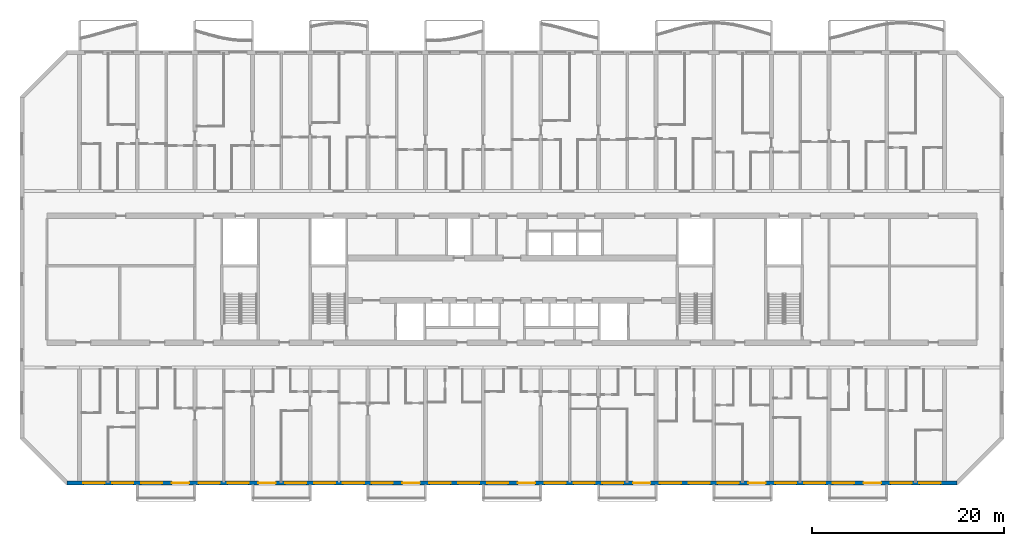
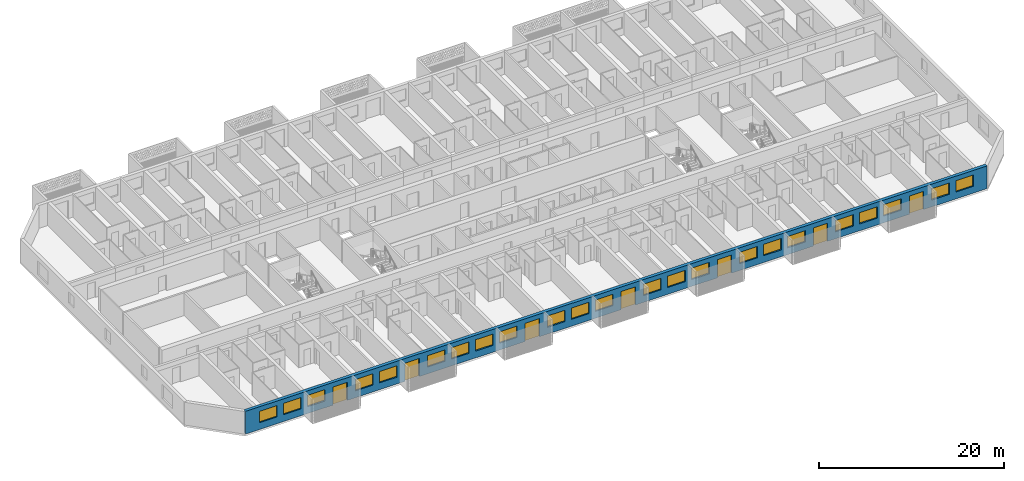
# One storey, part 5 of 38: 23 windows, 7 doors, 1 wall, 30 openings.
"""IFC4 building model written with IfcOpenShell, lengths in metres."""

from ifc_helpers import new_model, si_unit, direction, frame, frame_2d, origin, place, context, subcontext, project, spatial, rectangle, extrude, material, layer, layer_set, type_object, element, fill, save


model = new_model("IFC4")

# Units and contexts
model_context = context("Model", 3, precision=1e-05, world=origin(), true_north=direction((0.0, 1.0)))
body_context = subcontext(model_context, "Body", "Model", "MODEL_VIEW")
ifc_project = project(units=[si_unit("LENGTHUNIT", "METRE"), si_unit("AREAUNIT", "SQUARE_METRE"), si_unit("VOLUMEUNIT", "CUBIC_METRE"), si_unit("PLANEANGLEUNIT", "RADIAN"), si_unit("MASSUNIT", "GRAM", prefix="KILO")], contexts=[model_context])

# Site, building, storey
site_placement = place(None, origin())
site = spatial("IfcSite", under=ifc_project, at=site_placement, CompositionType="ELEMENT")
building_placement = place(site_placement, origin())
building = spatial("IfcBuilding", under=site, at=building_placement, Name="Poui Terraces", CompositionType="ELEMENT")
storey_placement = place(building_placement, frame((0.0, 0.0, 49.800048828125)))
storey = spatial("IfcBuildingStorey", under=building, at=storey_placement, Name="L13", CompositionType="ELEMENT", Elevation=49.800048828125)

# Wall, openings, doors, windows
ifc_material_1 = material(Name="Precast concrete 40 MPa", Category="concrete")
ifc_layer = layer(ifc_material_1, 0.39990234375)
ifc_layer_set = layer_set([ifc_layer], Name="Precast concrete 40 MPa")
wall_type = type_object("IfcWallType", Name="EXTERNAL WALL 400", PredefinedType="STANDARD", material=ifc_layer_set)
wall_placement = place(storey_placement, frame((4.682861328125, 0.0, 0.0), z_axis=(0.0, 0.0, 1.0), x_axis=(1.0, 0.0, 0.0)))
wall = element("IfcWall", 1, at=wall_placement, inside=storey, type_object=wall_type, Name="EXTERNAL WALL S", PredefinedType="STANDARD", context=body_context, shape_type="SweptSolid", body=[
    extrude(rectangle(XDim=92.63427734375, YDim=0.39990234375, at=frame_2d((46.317138671875, 0.0))), origin(), (0.0, 0.0, 1.0), 3.0),
])
opening_1_placement = place(wall_placement, frame((1.71728515625, 0.0, 0.89990234375)))
opening_1 = element("IfcOpeningElement", 2, at=opening_1_placement, cuts=wall, Name="Opening W1", PredefinedType="OPENING", context=body_context, shape_type="SweptSolid", body=[
    extrude(rectangle(XDim=2.199951171875, YDim=1.5, at=frame_2d((1.10009765625, 0.75))), frame((0.0, 0.2099609375, 0.0), z_axis=(0.0, -1.0, 0.0), x_axis=(1.0, 0.0, 0.0)), (0.0, 0.0, 1.0), 0.419921875),
])
opening_2_placement = place(wall_placement, frame((4.71728515625, 0.0, 0.89990234375)))
opening_2 = element("IfcOpeningElement", 3, at=opening_2_placement, cuts=wall, Name="Opening W1", PredefinedType="OPENING", context=body_context, shape_type="SweptSolid", body=[
    extrude(rectangle(XDim=2.199951171875, YDim=1.5, at=frame_2d((1.10009765625, 0.75))), frame((0.0, 0.2099609375, 0.0), z_axis=(0.0, -1.0, 0.0), x_axis=(1.0, 0.0, 0.0)), (0.0, 0.0, 1.0), 0.419921875),
])
opening_3_placement = place(wall_placement, frame((7.71728515625, 0.0, 0.89990234375)))
opening_3 = element("IfcOpeningElement", 4, at=opening_3_placement, cuts=wall, Name="Opening W1", PredefinedType="OPENING", context=body_context, shape_type="SweptSolid", body=[
    extrude(rectangle(XDim=2.199951171875, YDim=1.5, at=frame_2d((1.10009765625, 0.75))), frame((0.0, 0.2099609375, 0.0), z_axis=(0.0, -1.0, 0.0), x_axis=(1.0, 0.0, 0.0)), (0.0, 0.0, 1.0), 0.419921875),
])
opening_4_placement = place(wall_placement, frame((10.917236328125, 0.0, 0.0)))
opening_4 = element("IfcOpeningElement", 5, at=opening_4_placement, cuts=wall, Name="Opening BD1", PredefinedType="OPENING", context=body_context, shape_type="SweptSolid", body=[
    extrude(rectangle(XDim=1.800048828125, YDim=2.39990234375, at=frame_2d((0.89990234375, 1.199951171875))), frame((0.0, 0.2099609375, 0.0), z_axis=(0.0, -1.0, 0.0), x_axis=(1.0, 0.0, 0.0)), (0.0, 0.0, 1.0), 0.419921875),
])
opening_5_placement = place(wall_placement, frame((13.71728515625, 0.0, 0.89990234375)))
opening_5 = element("IfcOpeningElement", 6, at=opening_5_placement, cuts=wall, Name="Opening W1", PredefinedType="OPENING", context=body_context, shape_type="SweptSolid", body=[
    extrude(rectangle(XDim=2.199951171875, YDim=1.5, at=frame_2d((1.10009765625, 0.75))), frame((0.0, 0.2099609375, 0.0), z_axis=(0.0, -1.0, 0.0), x_axis=(1.0, 0.0, 0.0)), (0.0, 0.0, 1.0), 0.419921875),
])
opening_6_placement = place(wall_placement, frame((16.71728515625, 0.0, 0.89990234375)))
opening_6 = element("IfcOpeningElement", 7, at=opening_6_placement, cuts=wall, Name="Opening W1", PredefinedType="OPENING", context=body_context, shape_type="SweptSolid", body=[
    extrude(rectangle(XDim=2.199951171875, YDim=1.5, at=frame_2d((1.10009765625, 0.75))), frame((0.0, 0.2099609375, 0.0), z_axis=(0.0, -1.0, 0.0), x_axis=(1.0, 0.0, 0.0)), (0.0, 0.0, 1.0), 0.419921875),
])
opening_7_placement = place(wall_placement, frame((19.917236328125, 0.0, 0.0)))
opening_7 = element("IfcOpeningElement", 8, at=opening_7_placement, cuts=wall, Name="Opening BD1", PredefinedType="OPENING", context=body_context, shape_type="SweptSolid", body=[
    extrude(rectangle(XDim=1.800048828125, YDim=2.39990234375, at=frame_2d((0.89990234375, 1.199951171875))), frame((0.0, 0.2099609375, 0.0), z_axis=(0.0, -1.0, 0.0), x_axis=(1.0, 0.0, 0.0)), (0.0, 0.0, 1.0), 0.419921875),
])
opening_8_placement = place(wall_placement, frame((22.71728515625, 0.0, 0.89990234375)))
opening_8 = element("IfcOpeningElement", 9, at=opening_8_placement, cuts=wall, Name="Opening W1", PredefinedType="OPENING", context=body_context, shape_type="SweptSolid", body=[
    extrude(rectangle(XDim=2.199951171875, YDim=1.5, at=frame_2d((1.10009765625, 0.75))), frame((0.0, 0.2099609375, 0.0), z_axis=(0.0, -1.0, 0.0), x_axis=(1.0, 0.0, 0.0)), (0.0, 0.0, 1.0), 0.419921875),
])
opening_9_placement = place(wall_placement, frame((25.71728515625, 0.0, 0.89990234375)))
opening_9 = element("IfcOpeningElement", 10, at=opening_9_placement, cuts=wall, Name="Opening W1", PredefinedType="OPENING", context=body_context, shape_type="SweptSolid", body=[
    extrude(rectangle(XDim=2.199951171875, YDim=1.5, at=frame_2d((1.10009765625, 0.75))), frame((0.0, 0.2099609375, 0.0), z_axis=(0.0, -1.0, 0.0), x_axis=(1.0, 0.0, 0.0)), (0.0, 0.0, 1.0), 0.419921875),
])
opening_10_placement = place(wall_placement, frame((28.71728515625, 0.0, 0.89990234375)))
opening_10 = element("IfcOpeningElement", 11, at=opening_10_placement, cuts=wall, Name="Opening W1", PredefinedType="OPENING", context=body_context, shape_type="SweptSolid", body=[
    extrude(rectangle(XDim=2.199951171875, YDim=1.5, at=frame_2d((1.10009765625, 0.75))), frame((0.0, 0.2099609375, 0.0), z_axis=(0.0, -1.0, 0.0), x_axis=(1.0, 0.0, 0.0)), (0.0, 0.0, 1.0), 0.419921875),
])
opening_11_placement = place(wall_placement, frame((31.71728515625, 0.0, 0.89990234375)))
opening_11 = element("IfcOpeningElement", 12, at=opening_11_placement, cuts=wall, Name="Opening W1", PredefinedType="OPENING", context=body_context, shape_type="SweptSolid", body=[
    extrude(rectangle(XDim=2.199951171875, YDim=1.5, at=frame_2d((1.10009765625, 0.75))), frame((0.0, 0.2099609375, 0.0), z_axis=(0.0, -1.0, 0.0), x_axis=(1.0, 0.0, 0.0)), (0.0, 0.0, 1.0), 0.419921875),
])
opening_12_placement = place(wall_placement, frame((34.917236328125, 0.0, 0.0)))
opening_12 = element("IfcOpeningElement", 13, at=opening_12_placement, cuts=wall, Name="Opening BD1", PredefinedType="OPENING", context=body_context, shape_type="SweptSolid", body=[
    extrude(rectangle(XDim=1.800048828125, YDim=2.39990234375, at=frame_2d((0.89990234375, 1.199951171875))), frame((0.0, 0.2099609375, 0.0), z_axis=(0.0, -1.0, 0.0), x_axis=(1.0, 0.0, 0.0)), (0.0, 0.0, 1.0), 0.419921875),
])
opening_13_placement = place(wall_placement, frame((37.71728515625, 0.0, 0.89990234375)))
opening_13 = element("IfcOpeningElement", 14, at=opening_13_placement, cuts=wall, Name="Opening W1", PredefinedType="OPENING", context=body_context, shape_type="SweptSolid", body=[
    extrude(rectangle(XDim=2.199951171875, YDim=1.5, at=frame_2d((1.10009765625, 0.75))), frame((0.0, 0.2099609375, 0.0), z_axis=(0.0, -1.0, 0.0), x_axis=(1.0, 0.0, 0.0)), (0.0, 0.0, 1.0), 0.419921875),
])
opening_14_placement = place(wall_placement, frame((40.71728515625, 0.0, 0.89990234375)))
opening_14 = element("IfcOpeningElement", 15, at=opening_14_placement, cuts=wall, Name="Opening W1", PredefinedType="OPENING", context=body_context, shape_type="SweptSolid", body=[
    extrude(rectangle(XDim=2.199951171875, YDim=1.5, at=frame_2d((1.10009765625, 0.75))), frame((0.0, 0.2099609375, 0.0), z_axis=(0.0, -1.0, 0.0), x_axis=(1.0, 0.0, 0.0)), (0.0, 0.0, 1.0), 0.419921875),
])
opening_15_placement = place(wall_placement, frame((43.71728515625, 0.0, 0.89990234375)))
opening_15 = element("IfcOpeningElement", 16, at=opening_15_placement, cuts=wall, Name="Opening W1", PredefinedType="OPENING", context=body_context, shape_type="SweptSolid", body=[
    extrude(rectangle(XDim=2.199951171875, YDim=1.5, at=frame_2d((1.10009765625, 0.75))), frame((0.0, 0.2099609375, 0.0), z_axis=(0.0, -1.0, 0.0), x_axis=(1.0, 0.0, 0.0)), (0.0, 0.0, 1.0), 0.419921875),
])
opening_16_placement = place(wall_placement, frame((46.917236328125, 0.0, 0.0)))
opening_16 = element("IfcOpeningElement", 17, at=opening_16_placement, cuts=wall, Name="Opening BD1", PredefinedType="OPENING", context=body_context, shape_type="SweptSolid", body=[
    extrude(rectangle(XDim=1.800048828125, YDim=2.39990234375, at=frame_2d((0.89990234375, 1.199951171875))), frame((0.0, 0.2099609375, 0.0), z_axis=(0.0, -1.0, 0.0), x_axis=(1.0, 0.0, 0.0)), (0.0, 0.0, 1.0), 0.419921875),
])
opening_17_placement = place(wall_placement, frame((49.71728515625, 0.0, 0.89990234375)))
opening_17 = element("IfcOpeningElement", 18, at=opening_17_placement, cuts=wall, Name="Opening W1", PredefinedType="OPENING", context=body_context, shape_type="SweptSolid", body=[
    extrude(rectangle(XDim=2.199951171875, YDim=1.5, at=frame_2d((1.10009765625, 0.75))), frame((0.0, 0.2099609375, 0.0), z_axis=(0.0, -1.0, 0.0), x_axis=(1.0, 0.0, 0.0)), (0.0, 0.0, 1.0), 0.419921875),
])
opening_18_placement = place(wall_placement, frame((52.71728515625, 0.0, 0.89990234375)))
opening_18 = element("IfcOpeningElement", 19, at=opening_18_placement, cuts=wall, Name="Opening W1", PredefinedType="OPENING", context=body_context, shape_type="SweptSolid", body=[
    extrude(rectangle(XDim=2.199951171875, YDim=1.5, at=frame_2d((1.10009765625, 0.75))), frame((0.0, 0.2099609375, 0.0), z_axis=(0.0, -1.0, 0.0), x_axis=(1.0, 0.0, 0.0)), (0.0, 0.0, 1.0), 0.419921875),
])
opening_19_placement = place(wall_placement, frame((55.71728515625, 0.0, 0.89990234375)))
opening_19 = element("IfcOpeningElement", 20, at=opening_19_placement, cuts=wall, Name="Opening W1", PredefinedType="OPENING", context=body_context, shape_type="SweptSolid", body=[
    extrude(rectangle(XDim=2.199951171875, YDim=1.5, at=frame_2d((1.10009765625, 0.75))), frame((0.0, 0.2099609375, 0.0), z_axis=(0.0, -1.0, 0.0), x_axis=(1.0, 0.0, 0.0)), (0.0, 0.0, 1.0), 0.419921875),
])
opening_20_placement = place(wall_placement, frame((58.917236328125, 0.0, 0.0)))
opening_20 = element("IfcOpeningElement", 21, at=opening_20_placement, cuts=wall, Name="Opening BD1", PredefinedType="OPENING", context=body_context, shape_type="SweptSolid", body=[
    extrude(rectangle(XDim=1.800048828125, YDim=2.39990234375, at=frame_2d((0.89990234375, 1.199951171875))), frame((0.0, 0.2099609375, 0.0), z_axis=(0.0, -1.0, 0.0), x_axis=(1.0, 0.0, 0.0)), (0.0, 0.0, 1.0), 0.419921875),
])
opening_21_placement = place(wall_placement, frame((61.71728515625, 0.0, 0.89990234375)))
opening_21 = element("IfcOpeningElement", 22, at=opening_21_placement, cuts=wall, Name="Opening W1", PredefinedType="OPENING", context=body_context, shape_type="SweptSolid", body=[
    extrude(rectangle(XDim=2.199951171875, YDim=1.5, at=frame_2d((1.10009765625, 0.75))), frame((0.0, 0.2099609375, 0.0), z_axis=(0.0, -1.0, 0.0), x_axis=(1.0, 0.0, 0.0)), (0.0, 0.0, 1.0), 0.419921875),
])
opening_22_placement = place(wall_placement, frame((64.71728515625, 0.0, 0.89990234375)))
opening_22 = element("IfcOpeningElement", 23, at=opening_22_placement, cuts=wall, Name="Opening W1", PredefinedType="OPENING", context=body_context, shape_type="SweptSolid", body=[
    extrude(rectangle(XDim=2.199951171875, YDim=1.5, at=frame_2d((1.10009765625, 0.75))), frame((0.0, 0.2099609375, 0.0), z_axis=(0.0, -1.0, 0.0), x_axis=(1.0, 0.0, 0.0)), (0.0, 0.0, 1.0), 0.419921875),
])
opening_23_placement = place(wall_placement, frame((67.71728515625, 0.0, 0.89990234375)))
opening_23 = element("IfcOpeningElement", 24, at=opening_23_placement, cuts=wall, Name="Opening W1", PredefinedType="OPENING", context=body_context, shape_type="SweptSolid", body=[
    extrude(rectangle(XDim=2.199951171875, YDim=1.5, at=frame_2d((1.10009765625, 0.75))), frame((0.0, 0.2099609375, 0.0), z_axis=(0.0, -1.0, 0.0), x_axis=(1.0, 0.0, 0.0)), (0.0, 0.0, 1.0), 0.419921875),
])
opening_24_placement = place(wall_placement, frame((70.917236328125, 0.0, 0.0)))
opening_24 = element("IfcOpeningElement", 25, at=opening_24_placement, cuts=wall, Name="Opening BD1", PredefinedType="OPENING", context=body_context, shape_type="SweptSolid", body=[
    extrude(rectangle(XDim=1.800048828125, YDim=2.39990234375, at=frame_2d((0.89990234375, 1.199951171875))), frame((0.0, 0.2099609375, 0.0), z_axis=(0.0, -1.0, 0.0), x_axis=(1.0, 0.0, 0.0)), (0.0, 0.0, 1.0), 0.419921875),
])
opening_25_placement = place(wall_placement, frame((73.71728515625, 0.0, 0.89990234375)))
opening_25 = element("IfcOpeningElement", 26, at=opening_25_placement, cuts=wall, Name="Opening W1", PredefinedType="OPENING", context=body_context, shape_type="SweptSolid", body=[
    extrude(rectangle(XDim=2.199951171875, YDim=1.5, at=frame_2d((1.10009765625, 0.75))), frame((0.0, 0.2099609375, 0.0), z_axis=(0.0, -1.0, 0.0), x_axis=(1.0, 0.0, 0.0)), (0.0, 0.0, 1.0), 0.419921875),
])
opening_26_placement = place(wall_placement, frame((76.71728515625, 0.0, 0.89990234375)))
opening_26 = element("IfcOpeningElement", 27, at=opening_26_placement, cuts=wall, Name="Opening W1", PredefinedType="OPENING", context=body_context, shape_type="SweptSolid", body=[
    extrude(rectangle(XDim=2.199951171875, YDim=1.5, at=frame_2d((1.10009765625, 0.75))), frame((0.0, 0.2099609375, 0.0), z_axis=(0.0, -1.0, 0.0), x_axis=(1.0, 0.0, 0.0)), (0.0, 0.0, 1.0), 0.419921875),
])
opening_27_placement = place(wall_placement, frame((79.71728515625, 0.0, 0.89990234375)))
opening_27 = element("IfcOpeningElement", 28, at=opening_27_placement, cuts=wall, Name="Opening W1", PredefinedType="OPENING", context=body_context, shape_type="SweptSolid", body=[
    extrude(rectangle(XDim=2.199951171875, YDim=1.5, at=frame_2d((1.10009765625, 0.75))), frame((0.0, 0.2099609375, 0.0), z_axis=(0.0, -1.0, 0.0), x_axis=(1.0, 0.0, 0.0)), (0.0, 0.0, 1.0), 0.419921875),
])
opening_28_placement = place(wall_placement, frame((82.917236328125, 0.0, 0.0)))
opening_28 = element("IfcOpeningElement", 29, at=opening_28_placement, cuts=wall, Name="Opening BD1", PredefinedType="OPENING", context=body_context, shape_type="SweptSolid", body=[
    extrude(rectangle(XDim=1.800048828125, YDim=2.39990234375, at=frame_2d((0.89990234375, 1.199951171875))), frame((0.0, 0.2099609375, 0.0), z_axis=(0.0, -1.0, 0.0), x_axis=(1.0, 0.0, 0.0)), (0.0, 0.0, 1.0), 0.419921875),
])
opening_29_placement = place(wall_placement, frame((85.71728515625, 0.0, 0.89990234375)))
opening_29 = element("IfcOpeningElement", 30, at=opening_29_placement, cuts=wall, Name="Opening W1", PredefinedType="OPENING", context=body_context, shape_type="SweptSolid", body=[
    extrude(rectangle(XDim=2.199951171875, YDim=1.5, at=frame_2d((1.10009765625, 0.75))), frame((0.0, 0.2099609375, 0.0), z_axis=(0.0, -1.0, 0.0), x_axis=(1.0, 0.0, 0.0)), (0.0, 0.0, 1.0), 0.419921875),
])
opening_30_placement = place(wall_placement, frame((88.71728515625, 0.0, 0.89990234375)))
opening_30 = element("IfcOpeningElement", 31, at=opening_30_placement, cuts=wall, Name="Opening W1", PredefinedType="OPENING", context=body_context, shape_type="SweptSolid", body=[
    extrude(rectangle(XDim=2.199951171875, YDim=1.5, at=frame_2d((1.10009765625, 0.75))), frame((0.0, 0.2099609375, 0.0), z_axis=(0.0, -1.0, 0.0), x_axis=(1.0, 0.0, 0.0)), (0.0, 0.0, 1.0), 0.419921875),
])
ifc_material_2 = material(Name="Clear glass in aluminium frame", Category="aluminium")
door_type = type_object("IfcDoorType", Name="BALCONY DOOR 1800X2400", OperationType="DOUBLE_DOOR_SLIDING", PredefinedType="DOOR", material=ifc_material_2)
door_1_placement = place(opening_4_placement, origin())
door_1 = element("IfcDoor", 32, at=door_1_placement, inside=storey, type_object=door_type, Name="BD1 BALCONY DOOR", OperationType="DOUBLE_DOOR_SLIDING", OverallHeight=2.39990234375, OverallWidth=1.800048828125, PredefinedType="DOOR", context=body_context, shape_type="SweptSolid", body=[
    extrude(rectangle(XDim=1.800048828125, YDim=2.39990234375, at=frame_2d((0.89990234375, 1.199951171875))), frame((0.0, 0.02490234375, 0.0), z_axis=(0.0, -1.0, 0.0), x_axis=(1.0, 0.0, 0.0)), (0.0, 0.0, 1.0), 0.050048828125),
])
fill(opening_4, door_1)
door_2_placement = place(opening_7_placement, origin())
door_2 = element("IfcDoor", 33, at=door_2_placement, inside=storey, type_object=door_type, Name="BD1 BALCONY DOOR", OperationType="DOUBLE_DOOR_SLIDING", OverallHeight=2.39990234375, OverallWidth=1.800048828125, PredefinedType="DOOR", context=body_context, shape_type="SweptSolid", body=[
    extrude(rectangle(XDim=1.800048828125, YDim=2.39990234375, at=frame_2d((0.89990234375, 1.199951171875))), frame((0.0, 0.02490234375, 0.0), z_axis=(0.0, -1.0, 0.0), x_axis=(1.0, 0.0, 0.0)), (0.0, 0.0, 1.0), 0.050048828125),
])
fill(opening_7, door_2)
door_3_placement = place(opening_12_placement, origin())
door_3 = element("IfcDoor", 34, at=door_3_placement, inside=storey, type_object=door_type, Name="BD1 BALCONY DOOR", OperationType="DOUBLE_DOOR_SLIDING", OverallHeight=2.39990234375, OverallWidth=1.800048828125, PredefinedType="DOOR", context=body_context, shape_type="SweptSolid", body=[
    extrude(rectangle(XDim=1.800048828125, YDim=2.39990234375, at=frame_2d((0.89990234375, 1.199951171875))), frame((0.0, 0.02490234375, 0.0), z_axis=(0.0, -1.0, 0.0), x_axis=(1.0, 0.0, 0.0)), (0.0, 0.0, 1.0), 0.050048828125),
])
fill(opening_12, door_3)
door_4_placement = place(opening_16_placement, origin())
door_4 = element("IfcDoor", 35, at=door_4_placement, inside=storey, type_object=door_type, Name="BD1 BALCONY DOOR", OperationType="DOUBLE_DOOR_SLIDING", OverallHeight=2.39990234375, OverallWidth=1.800048828125, PredefinedType="DOOR", context=body_context, shape_type="SweptSolid", body=[
    extrude(rectangle(XDim=1.800048828125, YDim=2.39990234375, at=frame_2d((0.89990234375, 1.199951171875))), frame((0.0, 0.02490234375, 0.0), z_axis=(0.0, -1.0, 0.0), x_axis=(1.0, 0.0, 0.0)), (0.0, 0.0, 1.0), 0.050048828125),
])
fill(opening_16, door_4)
door_5_placement = place(opening_20_placement, origin())
door_5 = element("IfcDoor", 36, at=door_5_placement, inside=storey, type_object=door_type, Name="BD1 BALCONY DOOR", OperationType="DOUBLE_DOOR_SLIDING", OverallHeight=2.39990234375, OverallWidth=1.800048828125, PredefinedType="DOOR", context=body_context, shape_type="SweptSolid", body=[
    extrude(rectangle(XDim=1.800048828125, YDim=2.39990234375, at=frame_2d((0.89990234375, 1.199951171875))), frame((0.0, 0.02490234375, 0.0), z_axis=(0.0, -1.0, 0.0), x_axis=(1.0, 0.0, 0.0)), (0.0, 0.0, 1.0), 0.050048828125),
])
fill(opening_20, door_5)
door_6_placement = place(opening_24_placement, origin())
door_6 = element("IfcDoor", 37, at=door_6_placement, inside=storey, type_object=door_type, Name="BD1 BALCONY DOOR", OperationType="DOUBLE_DOOR_SLIDING", OverallHeight=2.39990234375, OverallWidth=1.800048828125, PredefinedType="DOOR", context=body_context, shape_type="SweptSolid", body=[
    extrude(rectangle(XDim=1.800048828125, YDim=2.39990234375, at=frame_2d((0.89990234375, 1.199951171875))), frame((0.0, 0.02490234375, 0.0), z_axis=(0.0, -1.0, 0.0), x_axis=(1.0, 0.0, 0.0)), (0.0, 0.0, 1.0), 0.050048828125),
])
fill(opening_24, door_6)
door_7_placement = place(opening_28_placement, origin())
door_7 = element("IfcDoor", 38, at=door_7_placement, inside=storey, type_object=door_type, Name="BD1 BALCONY DOOR", OperationType="DOUBLE_DOOR_SLIDING", OverallHeight=2.39990234375, OverallWidth=1.800048828125, PredefinedType="DOOR", context=body_context, shape_type="SweptSolid", body=[
    extrude(rectangle(XDim=1.800048828125, YDim=2.39990234375, at=frame_2d((0.89990234375, 1.199951171875))), frame((0.0, 0.02490234375, 0.0), z_axis=(0.0, -1.0, 0.0), x_axis=(1.0, 0.0, 0.0)), (0.0, 0.0, 1.0), 0.050048828125),
])
fill(opening_28, door_7)
window_type = type_object("IfcWindowType", Name="WINDOW 2200X1500", PartitioningType="DOUBLE_PANEL_HORIZONTAL", PredefinedType="WINDOW", material=ifc_material_2)
window_1_placement = place(opening_1_placement, origin())
window_1 = element("IfcWindow", 39, at=window_1_placement, inside=storey, type_object=window_type, Name="W1 WINDOW", OverallHeight=1.5, OverallWidth=2.199951171875, PartitioningType="DOUBLE_PANEL_HORIZONTAL", PredefinedType="WINDOW", context=body_context, shape_type="SweptSolid", body=[
    extrude(rectangle(XDim=2.199951171875, YDim=1.5, at=frame_2d((1.10009765625, 0.75))), frame((0.0, 0.030029296875, 0.0), z_axis=(0.0, -1.0, 0.0), x_axis=(1.0, 0.0, 0.0)), (0.0, 0.0, 1.0), 0.06005859375),
])
fill(opening_1, window_1)
window_2_placement = place(opening_2_placement, origin())
window_2 = element("IfcWindow", 40, at=window_2_placement, inside=storey, type_object=window_type, Name="W1 WINDOW", OverallHeight=1.5, OverallWidth=2.199951171875, PartitioningType="DOUBLE_PANEL_HORIZONTAL", PredefinedType="WINDOW", context=body_context, shape_type="SweptSolid", body=[
    extrude(rectangle(XDim=2.199951171875, YDim=1.5, at=frame_2d((1.10009765625, 0.75))), frame((0.0, 0.030029296875, 0.0), z_axis=(0.0, -1.0, 0.0), x_axis=(1.0, 0.0, 0.0)), (0.0, 0.0, 1.0), 0.06005859375),
])
fill(opening_2, window_2)
window_3_placement = place(opening_3_placement, origin())
window_3 = element("IfcWindow", 41, at=window_3_placement, inside=storey, type_object=window_type, Name="W1 WINDOW", OverallHeight=1.5, OverallWidth=2.199951171875, PartitioningType="DOUBLE_PANEL_HORIZONTAL", PredefinedType="WINDOW", context=body_context, shape_type="SweptSolid", body=[
    extrude(rectangle(XDim=2.199951171875, YDim=1.5, at=frame_2d((1.10009765625, 0.75))), frame((0.0, 0.030029296875, 0.0), z_axis=(0.0, -1.0, 0.0), x_axis=(1.0, 0.0, 0.0)), (0.0, 0.0, 1.0), 0.06005859375),
])
fill(opening_3, window_3)
window_4_placement = place(opening_5_placement, origin())
window_4 = element("IfcWindow", 42, at=window_4_placement, inside=storey, type_object=window_type, Name="W1 WINDOW", OverallHeight=1.5, OverallWidth=2.199951171875, PartitioningType="DOUBLE_PANEL_HORIZONTAL", PredefinedType="WINDOW", context=body_context, shape_type="SweptSolid", body=[
    extrude(rectangle(XDim=2.199951171875, YDim=1.5, at=frame_2d((1.10009765625, 0.75))), frame((0.0, 0.030029296875, 0.0), z_axis=(0.0, -1.0, 0.0), x_axis=(1.0, 0.0, 0.0)), (0.0, 0.0, 1.0), 0.06005859375),
])
fill(opening_5, window_4)
window_5_placement = place(opening_6_placement, origin())
window_5 = element("IfcWindow", 43, at=window_5_placement, inside=storey, type_object=window_type, Name="W1 WINDOW", OverallHeight=1.5, OverallWidth=2.199951171875, PartitioningType="DOUBLE_PANEL_HORIZONTAL", PredefinedType="WINDOW", context=body_context, shape_type="SweptSolid", body=[
    extrude(rectangle(XDim=2.199951171875, YDim=1.5, at=frame_2d((1.10009765625, 0.75))), frame((0.0, 0.030029296875, 0.0), z_axis=(0.0, -1.0, 0.0), x_axis=(1.0, 0.0, 0.0)), (0.0, 0.0, 1.0), 0.06005859375),
])
fill(opening_6, window_5)
window_6_placement = place(opening_8_placement, origin())
window_6 = element("IfcWindow", 44, at=window_6_placement, inside=storey, type_object=window_type, Name="W1 WINDOW", OverallHeight=1.5, OverallWidth=2.199951171875, PartitioningType="DOUBLE_PANEL_HORIZONTAL", PredefinedType="WINDOW", context=body_context, shape_type="SweptSolid", body=[
    extrude(rectangle(XDim=2.199951171875, YDim=1.5, at=frame_2d((1.10009765625, 0.75))), frame((0.0, 0.030029296875, 0.0), z_axis=(0.0, -1.0, 0.0), x_axis=(1.0, 0.0, 0.0)), (0.0, 0.0, 1.0), 0.06005859375),
])
fill(opening_8, window_6)
window_7_placement = place(opening_9_placement, origin())
window_7 = element("IfcWindow", 45, at=window_7_placement, inside=storey, type_object=window_type, Name="W1 WINDOW", OverallHeight=1.5, OverallWidth=2.199951171875, PartitioningType="DOUBLE_PANEL_HORIZONTAL", PredefinedType="WINDOW", context=body_context, shape_type="SweptSolid", body=[
    extrude(rectangle(XDim=2.199951171875, YDim=1.5, at=frame_2d((1.10009765625, 0.75))), frame((0.0, 0.030029296875, 0.0), z_axis=(0.0, -1.0, 0.0), x_axis=(1.0, 0.0, 0.0)), (0.0, 0.0, 1.0), 0.06005859375),
])
fill(opening_9, window_7)
window_8_placement = place(opening_10_placement, origin())
window_8 = element("IfcWindow", 46, at=window_8_placement, inside=storey, type_object=window_type, Name="W1 WINDOW", OverallHeight=1.5, OverallWidth=2.199951171875, PartitioningType="DOUBLE_PANEL_HORIZONTAL", PredefinedType="WINDOW", context=body_context, shape_type="SweptSolid", body=[
    extrude(rectangle(XDim=2.199951171875, YDim=1.5, at=frame_2d((1.10009765625, 0.75))), frame((0.0, 0.030029296875, 0.0), z_axis=(0.0, -1.0, 0.0), x_axis=(1.0, 0.0, 0.0)), (0.0, 0.0, 1.0), 0.06005859375),
])
fill(opening_10, window_8)
window_9_placement = place(opening_11_placement, origin())
window_9 = element("IfcWindow", 47, at=window_9_placement, inside=storey, type_object=window_type, Name="W1 WINDOW", OverallHeight=1.5, OverallWidth=2.199951171875, PartitioningType="DOUBLE_PANEL_HORIZONTAL", PredefinedType="WINDOW", context=body_context, shape_type="SweptSolid", body=[
    extrude(rectangle(XDim=2.199951171875, YDim=1.5, at=frame_2d((1.10009765625, 0.75))), frame((0.0, 0.030029296875, 0.0), z_axis=(0.0, -1.0, 0.0), x_axis=(1.0, 0.0, 0.0)), (0.0, 0.0, 1.0), 0.06005859375),
])
fill(opening_11, window_9)
window_10_placement = place(opening_13_placement, origin())
window_10 = element("IfcWindow", 48, at=window_10_placement, inside=storey, type_object=window_type, Name="W1 WINDOW", OverallHeight=1.5, OverallWidth=2.199951171875, PartitioningType="DOUBLE_PANEL_HORIZONTAL", PredefinedType="WINDOW", context=body_context, shape_type="SweptSolid", body=[
    extrude(rectangle(XDim=2.199951171875, YDim=1.5, at=frame_2d((1.10009765625, 0.75))), frame((0.0, 0.030029296875, 0.0), z_axis=(0.0, -1.0, 0.0), x_axis=(1.0, 0.0, 0.0)), (0.0, 0.0, 1.0), 0.06005859375),
])
fill(opening_13, window_10)
window_11_placement = place(opening_14_placement, origin())
window_11 = element("IfcWindow", 49, at=window_11_placement, inside=storey, type_object=window_type, Name="W1 WINDOW", OverallHeight=1.5, OverallWidth=2.199951171875, PartitioningType="DOUBLE_PANEL_HORIZONTAL", PredefinedType="WINDOW", context=body_context, shape_type="SweptSolid", body=[
    extrude(rectangle(XDim=2.199951171875, YDim=1.5, at=frame_2d((1.10009765625, 0.75))), frame((0.0, 0.030029296875, 0.0), z_axis=(0.0, -1.0, 0.0), x_axis=(1.0, 0.0, 0.0)), (0.0, 0.0, 1.0), 0.06005859375),
])
fill(opening_14, window_11)
window_12_placement = place(opening_15_placement, origin())
window_12 = element("IfcWindow", 50, at=window_12_placement, inside=storey, type_object=window_type, Name="W1 WINDOW", OverallHeight=1.5, OverallWidth=2.199951171875, PartitioningType="DOUBLE_PANEL_HORIZONTAL", PredefinedType="WINDOW", context=body_context, shape_type="SweptSolid", body=[
    extrude(rectangle(XDim=2.199951171875, YDim=1.5, at=frame_2d((1.10009765625, 0.75))), frame((0.0, 0.030029296875, 0.0), z_axis=(0.0, -1.0, 0.0), x_axis=(1.0, 0.0, 0.0)), (0.0, 0.0, 1.0), 0.06005859375),
])
fill(opening_15, window_12)
window_13_placement = place(opening_17_placement, origin())
window_13 = element("IfcWindow", 51, at=window_13_placement, inside=storey, type_object=window_type, Name="W1 WINDOW", OverallHeight=1.5, OverallWidth=2.199951171875, PartitioningType="DOUBLE_PANEL_HORIZONTAL", PredefinedType="WINDOW", context=body_context, shape_type="SweptSolid", body=[
    extrude(rectangle(XDim=2.199951171875, YDim=1.5, at=frame_2d((1.10009765625, 0.75))), frame((0.0, 0.030029296875, 0.0), z_axis=(0.0, -1.0, 0.0), x_axis=(1.0, 0.0, 0.0)), (0.0, 0.0, 1.0), 0.06005859375),
])
fill(opening_17, window_13)
window_14_placement = place(opening_18_placement, origin())
window_14 = element("IfcWindow", 52, at=window_14_placement, inside=storey, type_object=window_type, Name="W1 WINDOW", OverallHeight=1.5, OverallWidth=2.199951171875, PartitioningType="DOUBLE_PANEL_HORIZONTAL", PredefinedType="WINDOW", context=body_context, shape_type="SweptSolid", body=[
    extrude(rectangle(XDim=2.199951171875, YDim=1.5, at=frame_2d((1.10009765625, 0.75))), frame((0.0, 0.030029296875, 0.0), z_axis=(0.0, -1.0, 0.0), x_axis=(1.0, 0.0, 0.0)), (0.0, 0.0, 1.0), 0.06005859375),
])
fill(opening_18, window_14)
window_15_placement = place(opening_19_placement, origin())
window_15 = element("IfcWindow", 53, at=window_15_placement, inside=storey, type_object=window_type, Name="W1 WINDOW", OverallHeight=1.5, OverallWidth=2.199951171875, PartitioningType="DOUBLE_PANEL_HORIZONTAL", PredefinedType="WINDOW", context=body_context, shape_type="SweptSolid", body=[
    extrude(rectangle(XDim=2.199951171875, YDim=1.5, at=frame_2d((1.10009765625, 0.75))), frame((0.0, 0.030029296875, 0.0), z_axis=(0.0, -1.0, 0.0), x_axis=(1.0, 0.0, 0.0)), (0.0, 0.0, 1.0), 0.06005859375),
])
fill(opening_19, window_15)
window_16_placement = place(opening_21_placement, origin())
window_16 = element("IfcWindow", 54, at=window_16_placement, inside=storey, type_object=window_type, Name="W1 WINDOW", OverallHeight=1.5, OverallWidth=2.199951171875, PartitioningType="DOUBLE_PANEL_HORIZONTAL", PredefinedType="WINDOW", context=body_context, shape_type="SweptSolid", body=[
    extrude(rectangle(XDim=2.199951171875, YDim=1.5, at=frame_2d((1.10009765625, 0.75))), frame((0.0, 0.030029296875, 0.0), z_axis=(0.0, -1.0, 0.0), x_axis=(1.0, 0.0, 0.0)), (0.0, 0.0, 1.0), 0.06005859375),
])
fill(opening_21, window_16)
window_17_placement = place(opening_22_placement, origin())
window_17 = element("IfcWindow", 55, at=window_17_placement, inside=storey, type_object=window_type, Name="W1 WINDOW", OverallHeight=1.5, OverallWidth=2.199951171875, PartitioningType="DOUBLE_PANEL_HORIZONTAL", PredefinedType="WINDOW", context=body_context, shape_type="SweptSolid", body=[
    extrude(rectangle(XDim=2.199951171875, YDim=1.5, at=frame_2d((1.10009765625, 0.75))), frame((0.0, 0.030029296875, 0.0), z_axis=(0.0, -1.0, 0.0), x_axis=(1.0, 0.0, 0.0)), (0.0, 0.0, 1.0), 0.06005859375),
])
fill(opening_22, window_17)
window_18_placement = place(opening_23_placement, origin())
window_18 = element("IfcWindow", 56, at=window_18_placement, inside=storey, type_object=window_type, Name="W1 WINDOW", OverallHeight=1.5, OverallWidth=2.199951171875, PartitioningType="DOUBLE_PANEL_HORIZONTAL", PredefinedType="WINDOW", context=body_context, shape_type="SweptSolid", body=[
    extrude(rectangle(XDim=2.199951171875, YDim=1.5, at=frame_2d((1.10009765625, 0.75))), frame((0.0, 0.030029296875, 0.0), z_axis=(0.0, -1.0, 0.0), x_axis=(1.0, 0.0, 0.0)), (0.0, 0.0, 1.0), 0.06005859375),
])
fill(opening_23, window_18)
window_19_placement = place(opening_25_placement, origin())
window_19 = element("IfcWindow", 57, at=window_19_placement, inside=storey, type_object=window_type, Name="W1 WINDOW", OverallHeight=1.5, OverallWidth=2.199951171875, PartitioningType="DOUBLE_PANEL_HORIZONTAL", PredefinedType="WINDOW", context=body_context, shape_type="SweptSolid", body=[
    extrude(rectangle(XDim=2.199951171875, YDim=1.5, at=frame_2d((1.10009765625, 0.75))), frame((0.0, 0.030029296875, 0.0), z_axis=(0.0, -1.0, 0.0), x_axis=(1.0, 0.0, 0.0)), (0.0, 0.0, 1.0), 0.06005859375),
])
fill(opening_25, window_19)
window_20_placement = place(opening_26_placement, origin())
window_20 = element("IfcWindow", 58, at=window_20_placement, inside=storey, type_object=window_type, Name="W1 WINDOW", OverallHeight=1.5, OverallWidth=2.199951171875, PartitioningType="DOUBLE_PANEL_HORIZONTAL", PredefinedType="WINDOW", context=body_context, shape_type="SweptSolid", body=[
    extrude(rectangle(XDim=2.199951171875, YDim=1.5, at=frame_2d((1.10009765625, 0.75))), frame((0.0, 0.030029296875, 0.0), z_axis=(0.0, -1.0, 0.0), x_axis=(1.0, 0.0, 0.0)), (0.0, 0.0, 1.0), 0.06005859375),
])
fill(opening_26, window_20)
window_21_placement = place(opening_27_placement, origin())
window_21 = element("IfcWindow", 59, at=window_21_placement, inside=storey, type_object=window_type, Name="W1 WINDOW", OverallHeight=1.5, OverallWidth=2.199951171875, PartitioningType="DOUBLE_PANEL_HORIZONTAL", PredefinedType="WINDOW", context=body_context, shape_type="SweptSolid", body=[
    extrude(rectangle(XDim=2.199951171875, YDim=1.5, at=frame_2d((1.10009765625, 0.75))), frame((0.0, 0.030029296875, 0.0), z_axis=(0.0, -1.0, 0.0), x_axis=(1.0, 0.0, 0.0)), (0.0, 0.0, 1.0), 0.06005859375),
])
fill(opening_27, window_21)
window_22_placement = place(opening_29_placement, origin())
window_22 = element("IfcWindow", 60, at=window_22_placement, inside=storey, type_object=window_type, Name="W1 WINDOW", OverallHeight=1.5, OverallWidth=2.199951171875, PartitioningType="DOUBLE_PANEL_HORIZONTAL", PredefinedType="WINDOW", context=body_context, shape_type="SweptSolid", body=[
    extrude(rectangle(XDim=2.199951171875, YDim=1.5, at=frame_2d((1.10009765625, 0.75))), frame((0.0, 0.030029296875, 0.0), z_axis=(0.0, -1.0, 0.0), x_axis=(1.0, 0.0, 0.0)), (0.0, 0.0, 1.0), 0.06005859375),
])
fill(opening_29, window_22)
window_23_placement = place(opening_30_placement, origin())
window_23 = element("IfcWindow", 61, at=window_23_placement, inside=storey, type_object=window_type, Name="W1 WINDOW", OverallHeight=1.5, OverallWidth=2.199951171875, PartitioningType="DOUBLE_PANEL_HORIZONTAL", PredefinedType="WINDOW", context=body_context, shape_type="SweptSolid", body=[
    extrude(rectangle(XDim=2.199951171875, YDim=1.5, at=frame_2d((1.10009765625, 0.75))), frame((0.0, 0.030029296875, 0.0), z_axis=(0.0, -1.0, 0.0), x_axis=(1.0, 0.0, 0.0)), (0.0, 0.0, 1.0), 0.06005859375),
])
fill(opening_30, window_23)

save(model, "model.ifc")
